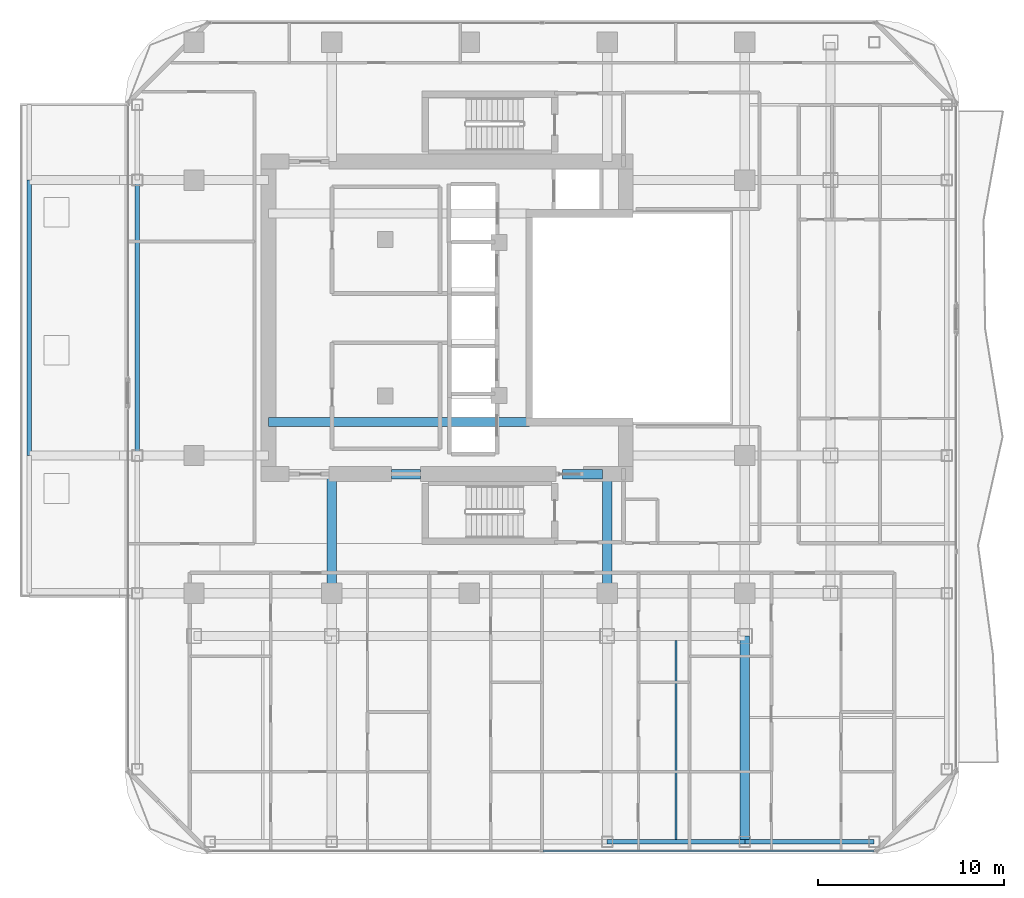
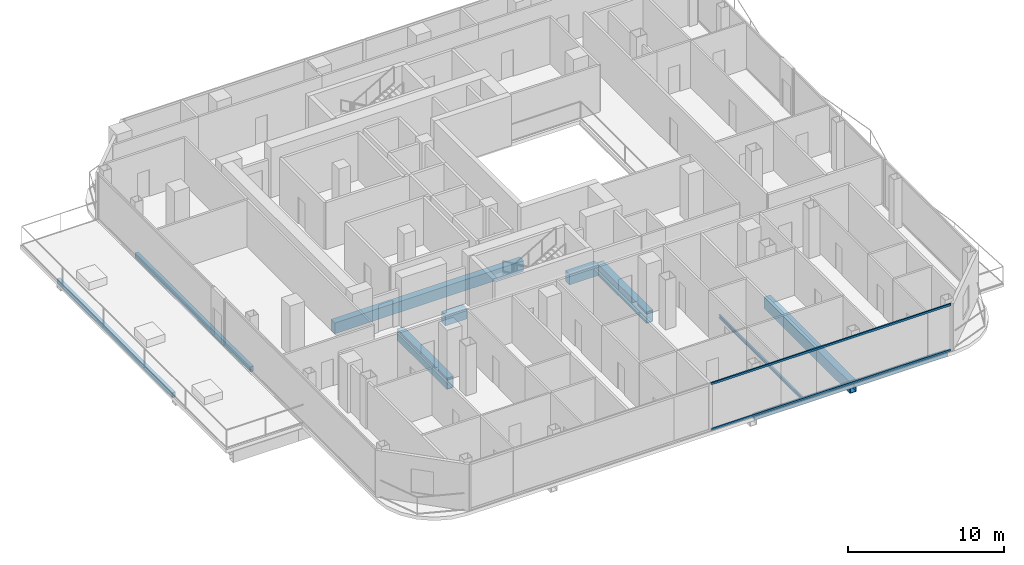
# One storey, part 6 of 26: 11 beams, 2 members, 1 element without a shape of its own.
"""IFC4 building model written with IfcOpenShell, lengths in metres."""

from ifc_helpers import new_model, si_unit, direction, frame, origin, origin_2d, place, context, subcontext, project, spatial, rectangle, hollow_rectangle, i_section, extrude, material, layer, layer_set, material_profile, profile_set, type_object, element, aggregate, save


model = new_model("IFC4")

# Units and contexts
model_context = context("Model", 3, precision=1e-05, world=origin(), true_north=direction((0.0, 1.0)))
body_context = subcontext(model_context, "Body", "Model", "MODEL_VIEW")
ifc_project = project(units=[si_unit("LENGTHUNIT", "METRE"), si_unit("AREAUNIT", "SQUARE_METRE"), si_unit("VOLUMEUNIT", "CUBIC_METRE"), si_unit("PLANEANGLEUNIT", "RADIAN"), si_unit("MASSUNIT", "GRAM", prefix="KILO")], contexts=[model_context])

# Site, building, storey
site_placement = place(None, origin())
site = spatial("IfcSite", under=ifc_project, at=site_placement, CompositionType="ELEMENT")
building_placement = place(site_placement, origin())
building = spatial("IfcBuilding", under=site, at=building_placement, Name="Khorvyn Point Tower", CompositionType="ELEMENT")
storey_placement = place(building_placement, frame((0.0, 0.0, 219.60009765625)))
storey = spatial("IfcBuildingStorey", under=building, at=storey_placement, Name="L54", CompositionType="ELEMENT", Elevation=219.60009765625)

# Curtain wall, members
ifc_material_1 = material(Name="Anodised aluminium 6063-T6 and laminated Low-E glass", Category="aluminium")
ifc_layer = layer(ifc_material_1, 0.18994140625)
ifc_layer_set = layer_set([ifc_layer], Name="Stick-Built Acoustic Curtain Wall CW-SYS-03")
curtain_wall_type = type_object("IfcCurtainWallType", Name="Stick-Built Acoustic Curtain Wall CW-SYS-03", PredefinedType="NOTDEFINED", material=ifc_layer_set)
curtain_wall_placement = place(storey_placement, origin())
curtain_wall = element("IfcCurtainWall", 1, at=curtain_wall_placement, inside=storey, type_object=curtain_wall_type, Name="Curtain Wall", PredefinedType="NOTDEFINED")
ifc_material_2 = material(Name="Anodised aluminium 6063-T6", Category="aluminium")
ifc_material_profile_1 = material_profile(ifc_material_2, hollow_rectangle(XDim=0.10009765625, YDim=0.159912109375, WallThickness=0.00439453125, at=origin_2d()))
ifc_profile_set_1 = profile_set([ifc_material_profile_1], Name="Anodised aluminium 6063-T6 ALU-TRN-100x160")
member_type = type_object("IfcMemberType", Name="Anodised Aluminium 6063-T6 Transom ALU-TRN-100x160", PredefinedType="USERDEFINED", material=ifc_profile_set_1)
member_1_placement = place(storey_placement, frame((21.75, -28.64990234375, 0.0498046875), z_axis=(-1.0, 0.0, 0.0), x_axis=(0.0, -1.0, 0.0)))
member_1 = element("IfcMember", 2, at=member_1_placement, type_object=member_type, Name="Transom", ObjectType="TRANSOM", PredefinedType="USERDEFINED", context=body_context, shape_type="SweptSolid", body=[
    extrude(hollow_rectangle(XDim=0.10009765625, YDim=0.159912109375, WallThickness=0.00439453125, at=origin_2d()), origin(), (0.0, 0.0, 1.0), 17.800048828125),
])
member_2_placement = place(storey_placement, frame((21.75, -28.64990234375, 3.6298828125), z_axis=(-1.0, 0.0, 0.0), x_axis=(0.0, -1.0, 0.0)))
member_2 = element("IfcMember", 3, at=member_2_placement, type_object=member_type, Name="Transom", ObjectType="TRANSOM", PredefinedType="USERDEFINED", context=body_context, shape_type="SweptSolid", body=[
    extrude(hollow_rectangle(XDim=0.10009765625, YDim=0.159912109375, WallThickness=0.00439453125, at=origin_2d()), origin(), (0.0, 0.0, 1.0), 17.800048828125),
])
aggregate(curtain_wall, [member_1, member_2])

# Beams
ifc_material_3 = material(Name="Concrete C45/55", Category="concrete")
ifc_material_profile_2 = material_profile(ifc_material_3, rectangle(XDim=0.5, YDim=0.85009765625, at=origin_2d()))
ifc_profile_set_2 = profile_set([ifc_material_profile_2], Name="Concrete C45/55 RC500x850")
beam_type_1 = type_object("IfcBeamType", Name="Concrete C45/55 Beam RC500x850", PredefinedType="BEAM", material=ifc_profile_set_2)
beam_1_placement = place(storey_placement, frame((-10.800048828125, -5.60009765625, -0.705078125), z_axis=(1.0, 0.0, 0.0), x_axis=(0.0, 1.0, 0.0)))
element("IfcBeam", 4, at=beam_1_placement, inside=storey, type_object=beam_type_1, Name="L54 Core Internal Tie Girder S", PredefinedType="BEAM", context=body_context, shape_type="SweptSolid", body=[
    extrude(rectangle(XDim=0.5, YDim=0.85009765625, at=origin_2d()), origin(), (0.0, 0.0, 1.0), 14.02001953125),
])
beam_2_placement = place(storey_placement, frame((-4.199951171875, -8.39990234375, -0.705078125), z_axis=(1.0, 0.0, 0.0), x_axis=(0.0, 1.0, 0.0)))
element("IfcBeam", 5, at=beam_2_placement, inside=storey, type_object=beam_type_1, Name="L54 Core Shuttle Portal Coupling Beam", PredefinedType="BEAM", context=body_context, shape_type="SweptSolid", body=[
    extrude(rectangle(XDim=0.5, YDim=0.85009765625, at=origin_2d()), origin(), (0.0, 0.0, 1.0), 1.579833984375),
])
beam_3_placement = place(storey_placement, frame((5.0, -8.39990234375, -0.705078125), z_axis=(1.0, 0.0, 0.0), x_axis=(0.0, 1.0, 0.0)))
element("IfcBeam", 6, at=beam_3_placement, inside=storey, type_object=beam_type_1, Name="L54 Core Southeast Portal Coupling Beam", PredefinedType="BEAM", context=body_context, shape_type="SweptSolid", body=[
    extrude(rectangle(XDim=0.5, YDim=0.85009765625, at=origin_2d()), origin(), (0.0, 0.0, 1.0), 2.14990234375),
])
ifc_material_4 = material(Name="Steel S355", Category="steel")
ifc_material_profile_3 = material_profile(ifc_material_4, i_section(OverallWidth=0.125, OverallDepth=0.25, WebThickness=0.006103515625, FlangeThickness=0.009033203125, at=origin_2d()))
ifc_profile_set_3 = profile_set([ifc_material_profile_3], Name="Steel S355 H250x125x6x9")
beam_type_2 = type_object("IfcBeamType", Name="Steel S355 Joist H250x125x6x9", PredefinedType="JOIST", material=ifc_profile_set_3)
beam_4_placement = place(storey_placement, frame((11.10009765625, -28.02490234375, -0.405029296875), z_axis=(0.0, 1.0, 0.0), x_axis=(-1.0, 0.0, 0.0)))
element("IfcBeam", 7, at=beam_4_placement, inside=storey, type_object=beam_type_2, Name="Beam", PredefinedType="JOIST", context=body_context, shape_type="SweptSolid", body=[
    extrude(i_section(OverallWidth=0.125, OverallDepth=0.25, WebThickness=0.006103515625, FlangeThickness=0.009033203125, at=origin_2d()), origin(), (0.0, 0.0, 1.0), 10.6748046875),
])
ifc_material_profile_4 = material_profile(ifc_material_4, hollow_rectangle(XDim=0.25, YDim=0.39990234375, WallThickness=0.01611328125, at=origin_2d()))
ifc_profile_set_4 = profile_set([ifc_material_profile_4], Name="Steel S355 RHS400x250x16")
beam_type_3 = type_object("IfcBeamType", Name="Steel S355 Spandrel RHS400x250x16", PredefinedType="SPANDREL", material=ifc_profile_set_4)
beam_5_placement = place(storey_placement, frame((7.39990234375, -28.14990234375, -0.47998046875), z_axis=(1.0, 0.0, 0.0), x_axis=(0.0, 1.0, 0.0)))
element("IfcBeam", 8, at=beam_5_placement, inside=storey, type_object=beam_type_3, Name="Beam", PredefinedType="SPANDREL", context=body_context, shape_type="SweptSolid", body=[
    extrude(hollow_rectangle(XDim=0.25, YDim=0.39990234375, WallThickness=0.01611328125, at=origin_2d()), origin(), (0.0, 0.0, 1.0), 7.400146484375),
])
beam_6_placement = place(storey_placement, frame((14.800048828125, -28.14990234375, -0.47998046875), z_axis=(1.0, 0.0, 0.0), x_axis=(0.0, 1.0, 0.0)))
element("IfcBeam", 9, at=beam_6_placement, inside=storey, type_object=beam_type_3, Name="Beam", PredefinedType="SPANDREL", context=body_context, shape_type="SweptSolid", body=[
    extrude(hollow_rectangle(XDim=0.25, YDim=0.39990234375, WallThickness=0.01611328125, at=origin_2d()), origin(), (0.0, 0.0, 1.0), 6.949951171875),
])
for number, where, z_axis, x_axis, name in (
    (10, (-17.85009765625, -7.39990234375, -0.47998046875), (0.0, 1.0, 0.0), (-1.0, 0.0, 0.0), "Beam"),
    (11, (-23.64990234375, -7.39990234375, -0.47998046875), (0.0, 1.0, 0.0), (-1.0, 0.0, 0.0), "Beam"),
):
    element("IfcBeam", number, at=place(storey_placement, frame(where, z_axis=z_axis, x_axis=x_axis)), inside=storey, type_object=beam_type_3, Name=name, PredefinedType="SPANDREL", context=body_context, shape_type="SweptSolid", body=[
        extrude(hollow_rectangle(XDim=0.25, YDim=0.39990234375, WallThickness=0.01611328125, at=origin_2d()), origin(), (0.0, 0.0, 1.0), 14.7998046875),
    ])
ifc_material_5 = material(Name="Steel S450", Category="steel")
ifc_material_profile_5 = material_profile(ifc_material_5, hollow_rectangle(XDim=0.5, YDim=0.89990234375, WallThickness=0.0400390625, at=origin_2d()))
ifc_profile_set_5 = profile_set([ifc_material_profile_5], Name="Steel S450 BOX900x500x40")
beam_type_4 = type_object("IfcBeamType", Name="Steel S450 Beam BOX900x500x40", PredefinedType="BEAM", material=ifc_profile_set_5)
beam_7_placement = place(storey_placement, frame((14.800048828125, -28.14990234375, -0.72998046875), z_axis=(0.0, 1.0, 0.0), x_axis=(-1.0, 0.0, 0.0)))
element("IfcBeam", 12, at=beam_7_placement, inside=storey, type_object=beam_type_4, Name="L54 Radial Transfer Girder", PredefinedType="BEAM", context=body_context, shape_type="SweptSolid", body=[
    extrude(hollow_rectangle(XDim=0.5, YDim=0.89990234375, WallThickness=0.0400390625, at=origin_2d()), origin(), (0.0, 0.0, 1.0), 11.0498046875),
])
for number, where, z_axis, x_axis, name in (
    (13, (-7.39990234375, -14.800048828125, -0.72998046875), (0.0, 1.0, 0.0), (-1.0, 0.0, 0.0), "Beam"),
    (14, (7.39990234375, -14.800048828125, -0.72998046875), (0.0, 1.0, 0.0), (-1.0, 0.0, 0.0), "Beam"),
):
    element("IfcBeam", number, at=place(storey_placement, frame(where, z_axis=z_axis, x_axis=x_axis)), inside=storey, type_object=beam_type_4, Name=name, PredefinedType="BEAM", context=body_context, shape_type="SweptSolid", body=[
        extrude(hollow_rectangle(XDim=0.5, YDim=0.89990234375, WallThickness=0.0400390625, at=origin_2d()), origin(), (0.0, 0.0, 1.0), 6.400146484375),
    ])

save(model, "model.ifc")
